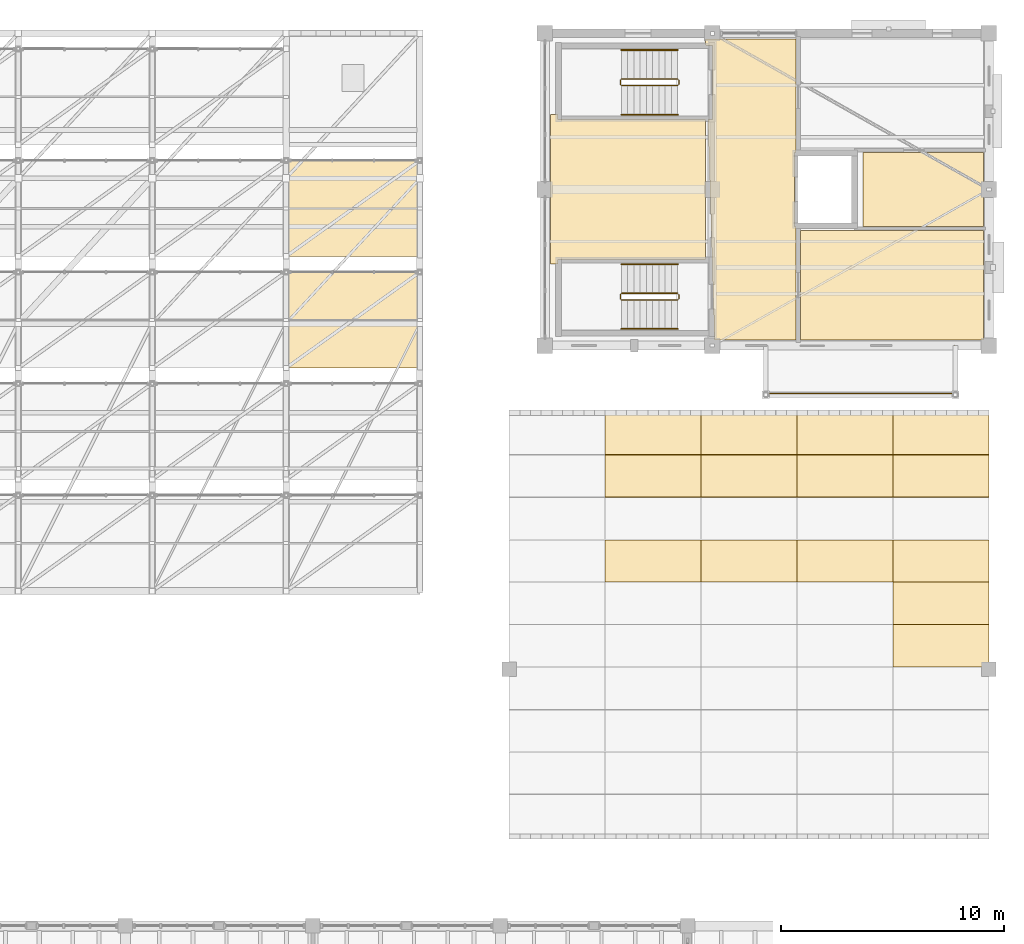
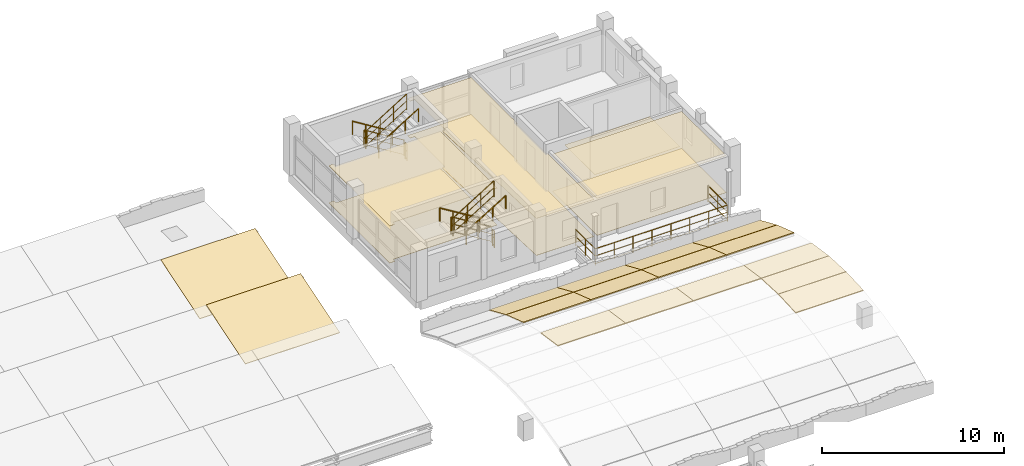
# One storey, part 47 of 48: 23 coverings, 13 railings.
"""IFC4 building model written with IfcOpenShell, lengths in metres."""

import ifcopenshell
import ifcopenshell.guid

model = None  # the IFC model being written
_history = None  # IfcOwnerHistory: only IFC2X3 demands one
_inside = {}  # id of a spatial element -> (the spatial element, [elements in it])
_under = {}  # id of a project, library or spatial element -> (it, [spatial elements below it])
_declared = {}  # id of a project -> (the project, [libraries it declares])
_typed = {}  # id of a type object -> (the type object, [elements of that type])
_made_of = {}  # id of a material, layer set ... -> (it, [elements and type objects made of it])


def new_model(schema):
    """Start an empty IFC model of exactly this schema.

    Asked for "IFC4X3", IfcOpenShell would pick the latest addendum, in which some entities
    have other attributes; the version numbers below select the first issue.
    IFC2X3 requires an IfcOwnerHistory on every rooted entity: one is made here for all.
    """
    global model, _history
    if schema == "IFC4X3":
        model = ifcopenshell.file(schema_version=(4, 3, 0, 0))
    else:
        model = ifcopenshell.file(schema=schema)
    _inside.clear()
    _under.clear()
    _declared.clear()
    _typed.clear()
    _made_of.clear()
    _history = None
    if model.schema == "IFC2X3":
        org = make("IfcOrganization", Name="unknown")
        user = make(
            "IfcPersonAndOrganization",
            ThePerson=make("IfcPerson", FamilyName="unknown"),
            TheOrganization=org,
        )
        app = make(
            "IfcApplication",
            ApplicationDeveloper=org,
            Version="unknown",
            ApplicationFullName="unknown",
            ApplicationIdentifier="unknown",
        )
        _history = make(
            "IfcOwnerHistory",
            OwningUser=user,
            OwningApplication=app,
            ChangeAction="ADDED",
            CreationDate=0,
        )
    return model


def make(cls, **values):
    """One entity of the class cls with the attributes given. An attribute that is None is left unset."""
    return model.create_entity(
        cls, **{name: value for name, value in values.items() if value is not None}
    )


def rooted(cls, **values):
    """An entity with a GlobalId (a new one), such as an element, a storey or a relation."""
    return make(cls, GlobalId=ifcopenshell.guid.new(), OwnerHistory=_history, **values)


def si_unit(unit_type, name, prefix=None):
    """IfcSIUnit, for example si_unit("LENGTHUNIT", "METRE", prefix="MILLI")."""
    return make("IfcSIUnit", UnitType=unit_type, Prefix=prefix, Name=name)


def assignment(units):
    """IfcUnitAssignment: the units of a project."""
    return None if units is None else make("IfcUnitAssignment", Units=units)


def point(xyz):
    """IfcCartesianPoint."""
    return None if xyz is None else make("IfcCartesianPoint", Coordinates=xyz)


def direction(xyz):
    """IfcDirection."""
    return None if xyz is None else make("IfcDirection", DirectionRatios=xyz)


def frame(location, z_axis=None, x_axis=None):
    """IfcAxis2Placement3D, a coordinate frame: its origin and axes. An axis left out is left unset."""
    return make(
        "IfcAxis2Placement3D",
        Location=point(location),
        Axis=direction(z_axis),
        RefDirection=direction(x_axis),
    )


def frame_2d(location, x_axis=None):
    """IfcAxis2Placement2D, a coordinate frame in the plane: its origin and x axis."""
    return make(
        "IfcAxis2Placement2D", Location=point(location), RefDirection=direction(x_axis)
    )


def origin():
    """The frame at (0, 0, 0) with its axes left unset."""
    return frame((0.0, 0.0, 0.0))


def origin_2d():
    """The frame at (0, 0) in the plane with its x axis left unset."""
    return frame_2d((0.0, 0.0))


def place(relative_to, where):
    """IfcLocalPlacement: puts the frame where relative to a parent placement (None: the world)."""
    return make(
        "IfcLocalPlacement", PlacementRelTo=relative_to, RelativePlacement=where
    )


def context(
    kind, dimensions, precision=None, world=None, true_north=None, identifier=None
):
    """IfcGeometricRepresentationContext, for example the 3D "Model" context."""
    return make(
        "IfcGeometricRepresentationContext",
        ContextIdentifier=identifier,
        ContextType=kind,
        CoordinateSpaceDimension=dimensions,
        Precision=precision,
        WorldCoordinateSystem=world,
        TrueNorth=true_north,
    )


def subcontext(parent, identifier, kind, view, scale=None):
    """IfcGeometricRepresentationSubContext, for example "Body" below "Model"."""
    return make(
        "IfcGeometricRepresentationSubContext",
        ContextIdentifier=identifier,
        ContextType=kind,
        ParentContext=parent,
        TargetScale=scale,
        TargetView=view,
    )


def project(units=None, contexts=None):
    """IfcProject with its units and contexts."""
    return rooted(
        "IfcProject",
        Name="project",
        RepresentationContexts=contexts,
        UnitsInContext=assignment(units),
    )


def spatial(cls, under=None, at=None, **own):
    """A site, building, storey or space (cls), placed at a placement, below another one or the project."""
    s = rooted(cls, ObjectPlacement=at, **own)
    if under is not None:
        _under.setdefault(under.id(), (under, []))[1].append(s)
    return s


def polyline(points):
    """IfcPolyline through the points."""
    return make("IfcPolyline", Points=[point(p) for p in points])


def profile(cls, at=None, kind="AREA", **sizes):
    """A parametric profile (cls). Its sizes go by their IFC names, for example OverallWidth=200.0."""
    return make(cls, ProfileType=kind, Position=at, **sizes)


def circle(**sizes):
    """IfcCircleProfileDef."""
    return profile("IfcCircleProfileDef", **sizes)


def outline(outer, holes=None, kind="AREA"):
    """IfcArbitraryClosedProfileDef: a profile drawn as a closed curve; with holes, ...WithVoids."""
    if holes is None:
        return make("IfcArbitraryClosedProfileDef", ProfileType=kind, OuterCurve=outer)
    return make(
        "IfcArbitraryProfileDefWithVoids",
        ProfileType=kind,
        OuterCurve=outer,
        InnerCurves=holes,
    )


def extrude(swept, where, along, depth):
    """IfcExtrudedAreaSolid: the profile swept, set in the frame where, extruded along a direction by depth."""
    return make(
        "IfcExtrudedAreaSolid",
        SweptArea=swept,
        Position=where,
        ExtrudedDirection=direction(along),
        Depth=depth,
    )


def shape(context_of_items, identifier, shape_type, items):
    """IfcShapeRepresentation: the items that make up one representation, for example the "Body"."""
    return make(
        "IfcShapeRepresentation",
        ContextOfItems=context_of_items,
        RepresentationIdentifier=identifier,
        RepresentationType=shape_type,
        Items=items,
    )


def material(Name=None, Category=None):
    """IfcMaterial."""
    return make("IfcMaterial", Name=Name, Category=Category)


def layer(
    of_material, thickness, ventilated=None, Name=None, Category=None, Priority=None
):
    """IfcMaterialLayer: one layer of a wall or slab, of a material (None: an air gap)."""
    return make(
        "IfcMaterialLayer",
        Material=of_material,
        LayerThickness=thickness,
        IsVentilated=ventilated,
        Name=Name,
        Category=Category,
        Priority=Priority,
    )


def layer_set(layers, Name=None):
    """IfcMaterialLayerSet."""
    return make("IfcMaterialLayerSet", MaterialLayers=layers, LayerSetName=Name)


def made_of(thing, what):
    """Note that an element or type object is made of a material, layer set ...; save() writes the relation."""
    if what is not None:
        _made_of.setdefault(what.id(), (what, []))[1].append(thing)
    return thing


def type_object(cls, material=None, **own):
    """A type object (cls), such as IfcWallType, which elements share."""
    return made_of(rooted(cls, **own), material)


def element(
    cls,
    number,
    at=None,
    inside=None,
    cuts=None,
    type_object=None,
    material=None,
    context=None,
    identifier="Body",
    shape_type=None,
    held_by="IfcProductDefinitionShape",
    body=None,
    shapes=None,
    **own,
):
    """One element of the class cls, such as IfcWall. Its Tag is "e" and its number.

    at: its placement. inside: the storey or other place that contains it. cuts: it is an
    opening in that element (IfcRelVoidsElement). A single representation is given by context,
    identifier, shape_type and body (its items); several are given by shapes. held_by: the class
    of the entity that holds the representations. save() writes the other relations.
    """
    e = rooted(cls, Tag="e%d" % number, ObjectPlacement=at, **own)
    if body is not None:
        shapes = [shape(context, identifier, shape_type, body)]
    if shapes is not None:
        e.Representation = make(held_by, Representations=shapes)
    if inside is not None:
        _inside.setdefault(inside.id(), (inside, []))[1].append(e)
    if cuts is not None:
        rooted(
            "IfcRelVoidsElement", RelatingBuildingElement=cuts, RelatedOpeningElement=e
        )
    if type_object is not None:
        _typed.setdefault(type_object.id(), (type_object, []))[1].append(e)
    return made_of(e, material)


def aggregate(whole, parts):
    """IfcRelAggregates: a whole, such as a stair, and the parts it consists of."""
    return rooted("IfcRelAggregates", RelatingObject=whole, RelatedObjects=parts)


def save(model, path):
    """Write the relations noted so far, then the file.

    IfcRelAggregates (storeys below a building ...), IfcRelContainedInSpatialStructure (elements
    in a storey), IfcRelDefinesByType, IfcRelAssociatesMaterial and IfcRelDeclares: one each for
    every whole, place, type object, material and project.
    """
    for whole, parts in _under.values():
        aggregate(whole, parts)
    for where, things in _inside.values():
        rooted(
            "IfcRelContainedInSpatialStructure",
            RelatedElements=things,
            RelatingStructure=where,
        )
    for kind, things in _typed.values():
        rooted("IfcRelDefinesByType", RelatedObjects=things, RelatingType=kind)
    for what, things in _made_of.values():
        rooted("IfcRelAssociatesMaterial", RelatedObjects=things, RelatingMaterial=what)
    for by, libraries in _declared.values():
        rooted("IfcRelDeclares", RelatingContext=by, RelatedDefinitions=libraries)
    model.write(path)


model = new_model("IFC4")

# Units and contexts
model_context = context("Model", 3, precision=1e-05, world=origin(), true_north=direction((0.0, 1.0)))
body_context = subcontext(model_context, "Body", "Model", "MODEL_VIEW")
ifc_project = project(units=[si_unit("LENGTHUNIT", "METRE"), si_unit("AREAUNIT", "SQUARE_METRE"), si_unit("VOLUMEUNIT", "CUBIC_METRE"), si_unit("PLANEANGLEUNIT", "RADIAN"), si_unit("MASSUNIT", "GRAM", prefix="KILO")], contexts=[model_context])

# Site, building, storey
site_placement = place(None, origin())
site = spatial("IfcSite", under=ifc_project, at=site_placement, CompositionType="ELEMENT")
building_placement = place(site_placement, origin())
building = spatial("IfcBuilding", under=site, at=building_placement, Name="Trellovar Central Fire Station", CompositionType="ELEMENT")
storey_placement = place(building_placement, frame((0.0, 0.0, 9.300048828125)))
storey = spatial("IfcBuildingStorey", under=building, at=storey_placement, Name="L03", CompositionType="ELEMENT", Elevation=9.300048828125)

# Coverings
ifc_material_1 = material(Name="Perforated acoustic mineral fiber ceiling tile", Category="mineral")
ifc_layer_1 = layer(ifc_material_1, 0.02490234375)
ifc_layer_set_1 = layer_set([ifc_layer_1], Name="Perforated acoustic mineral fiber ceiling tile")
covering_type_1 = type_object("IfcCoveringType", Name="COV-CLG1", PredefinedType="CEILING", material=ifc_layer_set_1)
covering_1_placement = place(storey_placement, frame((0.0, 0.0, 2.47998046875)))
element("IfcCovering", 1, at=covering_1_placement, inside=storey, type_object=covering_type_1, Name="Drill Tower Level Three Lobby suspended ceiling", PredefinedType="CEILING", context=body_context, shape_type="SweptSolid", body=[
    extrude(outline(polyline([(148.610107421875, 72.4599609375), (148.30908203125, 72.4599609375), (148.300048828125, 72.75), (152.35009765625, 72.75), (152.35009765625, 67.659912109375), (152.2900390625, 67.659912109375), (152.2900390625, 64.340087890625), (152.35009765625, 64.340087890625), (152.35009765625, 59.25), (148.699951171875, 59.25), (148.610107421875, 62.287109375), (148.610107421875, 62.860107421875), (148.593017578125, 62.860107421875), (148.406982421875, 69.139892578125), (148.610107421875, 69.139892578125), (148.610107421875, 72.4599609375)])), origin(), (0.0, 0.0, 1.0), 0.02490234375),
])
covering_2_placement = place(storey_placement, frame((0.0, 0.0, 2.47998046875)))
element("IfcCovering", 2, at=covering_2_placement, inside=storey, type_object=covering_type_1, Name="Forcible Entry Training Lab suspended ceiling", PredefinedType="CEILING", context=body_context, shape_type="SweptSolid", body=[
    extrude(outline(polyline([(141.68994140625, 62.860107421875), (141.68994140625, 62.64990234375), (141.35009765625, 62.64990234375), (141.35009765625, 69.35009765625), (141.68994140625, 69.35009765625), (141.68994140625, 69.139892578125), (148.300048828125, 69.139892578125), (148.300048828125, 62.860107421875), (141.68994140625, 62.860107421875)])), origin(), (0.0, 0.0, 1.0), 0.02490234375),
])
covering_3_placement = place(storey_placement, frame((0.0, 0.0, 2.47998046875)))
element("IfcCovering", 3, at=covering_3_placement, inside=storey, type_object=covering_type_1, Name="Window Bailout and Rappel Deck L03 suspended ceiling", PredefinedType="CEILING", context=body_context, shape_type="SweptSolid", body=[
    extrude(outline(polyline([(160.75, 64.14990234375), (160.75, 59.25), (152.550048828125, 59.25), (152.550048828125, 64.14990234375), (160.75, 64.14990234375)])), origin(), (0.0, 0.0, 1.0), 0.02490234375),
])
ifc_material_2 = material(Name="Vitrified Catalan ceramic floor tile", Category="masonry")
ifc_layer_2 = layer(ifc_material_2, 0.01806640625)
ifc_layer_set_2 = layer_set([ifc_layer_2], Name="Vitrified Catalan ceramic floor tile")
covering_type_2 = type_object("IfcCoveringType", Name="COV-FLR2", PredefinedType="FLOORING", material=ifc_layer_set_2)
covering_4_placement = place(storey_placement, origin())
element("IfcCovering", 4, at=covering_4_placement, inside=storey, type_object=covering_type_2, Name="Drill Tower Level Three Lobby floor finish", PredefinedType="FLOORING", context=body_context, shape_type="SweptSolid", body=[
    extrude(outline(polyline([(148.610107421875, 72.4599609375), (148.30908203125, 72.4599609375), (148.300048828125, 72.75), (152.35009765625, 72.75), (152.35009765625, 67.659912109375), (152.2900390625, 67.659912109375), (152.2900390625, 64.340087890625), (152.35009765625, 64.340087890625), (152.35009765625, 59.25), (148.699951171875, 59.25), (148.610107421875, 62.287109375), (148.610107421875, 62.860107421875), (148.593017578125, 62.860107421875), (148.406982421875, 69.139892578125), (148.610107421875, 69.139892578125), (148.610107421875, 72.4599609375)])), origin(), (0.0, 0.0, 1.0), 0.01806640625),
])
covering_5_placement = place(storey_placement, origin())
element("IfcCovering", 5, at=covering_5_placement, inside=storey, type_object=covering_type_2, Name="Tower Level Three Restroom floor finish", PredefinedType="FLOORING", context=body_context, shape_type="SweptSolid", body=[
    extrude(outline(polyline([(160.75, 67.64990234375), (160.75, 64.35009765625), (155.35009765625, 64.35009765625), (155.35009765625, 67.64990234375), (160.75, 67.64990234375)])), origin(), (0.0, 0.0, 1.0), 0.01806640625),
])
ifc_material_3 = material(Name="Resilient athletic impact rubber flooring", Category="finish")
ifc_layer_3 = layer(ifc_material_3, 0.02001953125)
ifc_layer_set_3 = layer_set([ifc_layer_3], Name="Resilient athletic impact rubber flooring")
covering_type_3 = type_object("IfcCoveringType", Name="COV-FLR3", PredefinedType="FLOORING", material=ifc_layer_set_3)
covering_6_placement = place(storey_placement, origin())
element("IfcCovering", 6, at=covering_6_placement, inside=storey, type_object=covering_type_3, Name="Forcible Entry Training Lab floor finish", PredefinedType="FLOORING", context=body_context, shape_type="SweptSolid", body=[
    extrude(outline(polyline([(141.68994140625, 62.860107421875), (141.68994140625, 62.64990234375), (141.35009765625, 62.64990234375), (141.35009765625, 69.35009765625), (141.68994140625, 69.35009765625), (141.68994140625, 69.139892578125), (148.300048828125, 69.139892578125), (148.300048828125, 62.860107421875), (141.68994140625, 62.860107421875)])), origin(), (0.0, 0.0, 1.0), 0.02001953125),
])
covering_7_placement = place(storey_placement, origin())
element("IfcCovering", 7, at=covering_7_placement, inside=storey, type_object=covering_type_3, Name="Window Bailout and Rappel Deck L03 floor finish", PredefinedType="FLOORING", context=body_context, shape_type="SweptSolid", body=[
    extrude(outline(polyline([(160.75, 64.14990234375), (160.75, 59.25), (152.550048828125, 59.25), (152.550048828125, 64.14990234375), (160.75, 64.14990234375)])), origin(), (0.0, 0.0, 1.0), 0.02001953125),
])
ifc_material_4 = material(Name="Glazed ceramic trencadis roofing", Category="masonry")
ifc_layer_4 = layer(ifc_material_4, 0.06005859375)
ifc_layer_set_4 = layer_set([ifc_layer_4], Name="Glazed ceramic trencadis roofing")
covering_type_4 = type_object("IfcCoveringType", Name="COV-RF1", PredefinedType="ROOFING", material=ifc_layer_set_4)
covering_8_placement = place(storey_placement, frame((143.800048828125, 48.41064453125, 2.266357421875), z_axis=(0.0, 0.143750672762, 0.989613936887), x_axis=(1.0, 0.0, 0.0)))
element("IfcCovering", 8, at=covering_8_placement, inside=storey, type_object=covering_type_4, Name="V3 trencadis barrel vault covering 02-07", PredefinedType="ROOFING", context=body_context, shape_type="SweptSolid", body=[
    extrude(outline(polyline([(0.0, 0.0), (4.300048828125, 0.0), (4.300048828125, 1.907260095601346), (0.0, 1.907260095601346), (0.0, 0.0)])), origin(), (0.0, 0.0, -1.0), 0.06005859375),
])
covering_9_placement = place(storey_placement, frame((143.800048828125, 52.22119140625, 1.524658203125), z_axis=(0.0, 0.320954993528, 0.947094447312), x_axis=(1.0, 0.0, 0.0)))
element("IfcCovering", 9, at=covering_9_placement, inside=storey, type_object=covering_type_4, Name="V3 trencadis barrel vault covering 02-09", PredefinedType="ROOFING", context=body_context, shape_type="SweptSolid", body=[
    extrude(outline(polyline([(0.0, 0.0), (4.300048828125, 0.0), (4.300048828125, 1.9815436461495783), (0.0, 1.9815436461495783), (0.0, 0.0)])), origin(), (0.0, 0.0, -1.0), 0.06005859375),
])
covering_10_placement = place(storey_placement, frame((143.800048828125, 54.1259765625, 0.876708984375), z_axis=(0.0, 0.399539052754, 0.916716174901), x_axis=(1.0, 0.0, 0.0)))
element("IfcCovering", 10, at=covering_10_placement, inside=storey, type_object=covering_type_4, Name="V3 trencadis barrel vault covering 02-10", PredefinedType="ROOFING", context=body_context, shape_type="SweptSolid", body=[
    extrude(outline(polyline([(0.0, 0.0), (4.300048828125, 0.0), (4.300048828125, 2.0421482283793635), (0.0, 2.0421482283793635), (0.0, 0.0)])), origin(), (0.0, 0.0, -1.0), 0.06005859375),
])
covering_11_placement = place(storey_placement, frame((148.10009765625, 48.41064453125, 2.266357421875), z_axis=(0.0, 0.143750672762, 0.989613936887), x_axis=(1.0, 0.0, 0.0)))
element("IfcCovering", 11, at=covering_11_placement, inside=storey, type_object=covering_type_4, Name="V3 trencadis barrel vault covering 03-07", PredefinedType="ROOFING", context=body_context, shape_type="SweptSolid", body=[
    extrude(outline(polyline([(0.0, 0.0), (4.2998046875, 0.0), (4.2998046875, 1.907260095601346), (0.0, 1.907260095601346), (0.0, 0.0)])), origin(), (0.0, 0.0, -1.0), 0.06005859375),
])
covering_12_placement = place(storey_placement, frame((148.10009765625, 52.22119140625, 1.524658203125), z_axis=(0.0, 0.320954993528, 0.947094447312), x_axis=(1.0, 0.0, 0.0)))
element("IfcCovering", 12, at=covering_12_placement, inside=storey, type_object=covering_type_4, Name="V3 trencadis barrel vault covering 03-09", PredefinedType="ROOFING", context=body_context, shape_type="SweptSolid", body=[
    extrude(outline(polyline([(0.0, 0.0), (4.2998046875, 0.0), (4.2998046875, 1.981543646149578), (0.0, 1.981543646149578), (0.0, 0.0)])), origin(), (0.0, 0.0, -1.0), 0.06005859375),
])
covering_13_placement = place(storey_placement, frame((148.10009765625, 54.1259765625, 0.876708984375), z_axis=(0.0, 0.399539052754, 0.916716174901), x_axis=(1.0, 0.0, 0.0)))
element("IfcCovering", 13, at=covering_13_placement, inside=storey, type_object=covering_type_4, Name="V3 trencadis barrel vault covering 03-10", PredefinedType="ROOFING", context=body_context, shape_type="SweptSolid", body=[
    extrude(outline(polyline([(0.0, 0.0), (4.2998046875, 0.0), (4.2998046875, 2.0421482283793635), (0.0, 2.0421482283793635), (0.0, 0.0)])), origin(), (0.0, 0.0, -1.0), 0.06005859375),
])
covering_14_placement = place(storey_placement, frame((152.39990234375, 48.41064453125, 2.266357421875), z_axis=(0.0, 0.143750672762, 0.989613936887), x_axis=(1.0, 0.0, 0.0)))
element("IfcCovering", 14, at=covering_14_placement, inside=storey, type_object=covering_type_4, Name="V3 trencadis barrel vault covering 04-07", PredefinedType="ROOFING", context=body_context, shape_type="SweptSolid", body=[
    extrude(outline(polyline([(0.0, 0.0), (4.300048828125, 0.0), (4.300048828125, 1.907260095601346), (0.0, 1.907260095601346), (0.0, 0.0)])), origin(), (0.0, 0.0, -1.0), 0.06005859375),
])
covering_15_placement = place(storey_placement, frame((152.39990234375, 52.22119140625, 1.524658203125), z_axis=(0.0, 0.320954993528, 0.947094447312), x_axis=(1.0, 0.0, 0.0)))
element("IfcCovering", 15, at=covering_15_placement, inside=storey, type_object=covering_type_4, Name="V3 trencadis barrel vault covering 04-09", PredefinedType="ROOFING", context=body_context, shape_type="SweptSolid", body=[
    extrude(outline(polyline([(0.0, 0.0), (4.300048828125, 0.0), (4.300048828125, 1.9815436461495783), (0.0, 1.9815436461495783), (0.0, 0.0)])), origin(), (0.0, 0.0, -1.0), 0.06005859375),
])
covering_16_placement = place(storey_placement, frame((152.39990234375, 54.1259765625, 0.876708984375), z_axis=(0.0, 0.399539052754, 0.916716174901), x_axis=(1.0, 0.0, 0.0)))
element("IfcCovering", 16, at=covering_16_placement, inside=storey, type_object=covering_type_4, Name="V3 trencadis barrel vault covering 04-10", PredefinedType="ROOFING", context=body_context, shape_type="SweptSolid", body=[
    extrude(outline(polyline([(0.0, 0.0), (4.300048828125, 0.0), (4.300048828125, 2.0421482283793635), (0.0, 2.0421482283793635), (0.0, 0.0)])), origin(), (0.0, 0.0, -1.0), 0.06005859375),
])
for number, where, z_axis, x_axis, name in (
    (17, (156.699951171875, 44.60205078125, 2.26806640625), (0.0, -0.04843419104, 0.998826375872), (1.0, 0.0, 0.0), "V3 trencadis barrel vault covering 05-05"),
    (18, (156.699951171875, 46.5048828125, 2.35986328125), (0.0, 0.04843419104, 0.998826375872), (1.0, 0.0, 0.0), "V3 trencadis barrel vault covering 05-06"),
):
    element("IfcCovering", number, at=place(storey_placement, frame(where, z_axis=z_axis, x_axis=x_axis)), inside=storey, type_object=covering_type_4, Name=name, PredefinedType="ROOFING", context=body_context, shape_type="SweptSolid", body=[
        extrude(outline(polyline([(0.0, 0.0), (4.300048828125, 0.0), (4.300048828125, 1.8952907652210136), (0.0, 1.8952907652210136), (0.0, 0.0)])), origin(), (0.0, 0.0, -1.0), 0.06005859375),
    ])
covering_17_placement = place(storey_placement, frame((156.699951171875, 48.41064453125, 2.266357421875), z_axis=(0.0, 0.143750672762, 0.989613936887), x_axis=(1.0, 0.0, 0.0)))
element("IfcCovering", 19, at=covering_17_placement, inside=storey, type_object=covering_type_4, Name="V3 trencadis barrel vault covering 05-07", PredefinedType="ROOFING", context=body_context, shape_type="SweptSolid", body=[
    extrude(outline(polyline([(0.0, 0.0), (4.300048828125, 0.0), (4.300048828125, 1.907260095601346), (0.0, 1.907260095601346), (0.0, 0.0)])), origin(), (0.0, 0.0, -1.0), 0.06005859375),
])
covering_18_placement = place(storey_placement, frame((156.699951171875, 52.22119140625, 1.524658203125), z_axis=(0.0, 0.320954993528, 0.947094447312), x_axis=(1.0, 0.0, 0.0)))
element("IfcCovering", 20, at=covering_18_placement, inside=storey, type_object=covering_type_4, Name="V3 trencadis barrel vault covering 05-09", PredefinedType="ROOFING", context=body_context, shape_type="SweptSolid", body=[
    extrude(outline(polyline([(0.0, 0.0), (4.300048828125, 0.0), (4.300048828125, 1.9815436461495783), (0.0, 1.9815436461495783), (0.0, 0.0)])), origin(), (0.0, 0.0, -1.0), 0.06005859375),
])
covering_19_placement = place(storey_placement, frame((156.699951171875, 54.1259765625, 0.876708984375), z_axis=(0.0, 0.399539052754, 0.916716174901), x_axis=(1.0, 0.0, 0.0)))
element("IfcCovering", 21, at=covering_19_placement, inside=storey, type_object=covering_type_4, Name="V3 trencadis barrel vault covering 05-10", PredefinedType="ROOFING", context=body_context, shape_type="SweptSolid", body=[
    extrude(outline(polyline([(0.0, 0.0), (4.300048828125, 0.0), (4.300048828125, 2.0421482283793635), (0.0, 2.0421482283793635), (0.0, 0.0)])), origin(), (0.0, 0.0, -1.0), 0.06005859375),
])
ifc_material_5 = material(Name="High-albedo cool terracotta roof tile", Category="masonry")
ifc_layer_5 = layer(ifc_material_5, 0.050048828125)
ifc_layer_set_5 = layer_set([ifc_layer_5], Name="High-albedo cool terracotta roof tile")
covering_type_5 = type_object("IfcCoveringType", Name="COV-RF2", PredefinedType="ROOFING", material=ifc_layer_set_5)
for number, where, z_axis, x_axis, name in (
    (22, (129.5, 58.0, 0.22998046875), (0.0, -0.29950542383, 0.954094597562), (1.0, 0.0, 0.0), "V6 sawtooth cool terracotta covering 3-129"),
    (23, (129.5, 63.0, 0.22998046875), (0.0, -0.29950542383, 0.954094597562), (1.0, 0.0, 0.0), "V6 sawtooth cool terracotta covering 4-129"),
):
    element("IfcCovering", number, at=place(storey_placement, frame(where, z_axis=z_axis, x_axis=x_axis)), inside=storey, type_object=covering_type_5, Name=name, PredefinedType="ROOFING", context=body_context, shape_type="SweptSolid", body=[
        extrude(outline(polyline([(0.0, 0.0), (6.0, 0.0), (6.0, 4.506941805471239), (0.0, 4.506941805471239), (0.0, 0.0)])), origin(), (0.0, 0.0, -1.0), 0.050048828125),
    ])

# Railings
ifc_material_6 = material(Name="Patina bronze wrought metalwork", Category="metal")
ifc_layer_6 = layer(ifc_material_6, 0.06005859375)
ifc_layer_set_6 = layer_set([ifc_layer_6], Name="Patina bronze wrought metalwork")
railing_type_1 = type_object("IfcRailingType", Name="RL-GUARD1", PredefinedType="GUARDRAIL", material=ifc_layer_set_6)
railing_1_placement = place(storey_placement, frame((151.050048828125, 59.0, 0.0)))
element("IfcRailing", 24, at=railing_1_placement, inside=storey, type_object=railing_type_1, Name="V2 L03 rappel evolution balcony guardrail", PredefinedType="GUARDRAIL", context=body_context, shape_type="SweptSolid", body=[
    extrude(circle(Radius=0.02392578125, at=origin_2d()), frame((0.0, 0.0, 1.09619140625), z_axis=(0.0, -1.0, 0.0), x_axis=(1.0, 0.0, 0.0)), (0.0, 0.0, 1.0), 2.14990234375),
    extrude(circle(Radius=0.015625, at=origin_2d()), frame((0.0, 0.0, 0.10009765625), z_axis=(0.0, -1.0, 0.0), x_axis=(1.0, 0.0, 0.0)), (0.0, 0.0, 1.0), 2.14990234375),
    extrude(circle(Radius=0.015625, at=origin_2d()), frame((0.0, 0.0, 0.615966796875), z_axis=(0.0, -1.0, 0.0), x_axis=(1.0, 0.0, 0.0)), (0.0, 0.0, 1.0), 2.14990234375),
    extrude(circle(Radius=0.02392578125, at=origin_2d()), frame((0.0, -2.14990234375, 1.09619140625), z_axis=(1.0, 0.0, 0.0), x_axis=(0.0, 1.0, 0.0)), (0.0, 0.0, 1.0), 8.39990234375),
    extrude(circle(Radius=0.015625, at=origin_2d()), frame((0.0, -2.14990234375, 0.10009765625), z_axis=(1.0, 0.0, 0.0), x_axis=(0.0, 1.0, 0.0)), (0.0, 0.0, 1.0), 8.39990234375),
    extrude(circle(Radius=0.015625, at=origin_2d()), frame((0.0, -2.14990234375, 0.615966796875), z_axis=(1.0, 0.0, 0.0), x_axis=(0.0, 1.0, 0.0)), (0.0, 0.0, 1.0), 8.39990234375),
    extrude(circle(Radius=0.02392578125, at=origin_2d()), frame((8.39990234375, -2.14990234375, 1.09619140625), z_axis=(0.0, 1.0, 0.0), x_axis=(-1.0, 0.0, 0.0)), (0.0, 0.0, 1.0), 2.14990234375),
    extrude(circle(Radius=0.015625, at=origin_2d()), frame((8.39990234375, -2.14990234375, 0.10009765625), z_axis=(0.0, 1.0, 0.0), x_axis=(-1.0, 0.0, 0.0)), (0.0, 0.0, 1.0), 2.14990234375),
    extrude(circle(Radius=0.015625, at=origin_2d()), frame((8.39990234375, -2.14990234375, 0.615966796875), z_axis=(0.0, 1.0, 0.0), x_axis=(-1.0, 0.0, 0.0)), (0.0, 0.0, 1.0), 2.14990234375),
    extrude(circle(Radius=0.02099609375, at=origin_2d()), origin(), (0.0, 0.0, 1.0), 1.072021484375),
    extrude(circle(Radius=0.02099609375, at=origin_2d()), frame((0.0, -1.074951171875, 0.0)), (0.0, 0.0, 1.0), 1.072021484375),
    extrude(circle(Radius=0.02099609375, at=origin_2d()), frame((0.0, -2.14990234375, 0.0)), (0.0, 0.0, 1.0), 1.072021484375),
    extrude(circle(Radius=0.02099609375, at=origin_2d()), frame((1.199951171875, -2.14990234375, 0.0)), (0.0, 0.0, 1.0), 1.072021484375),
    extrude(circle(Radius=0.02099609375, at=origin_2d()), frame((2.39990234375, -2.14990234375, 0.0)), (0.0, 0.0, 1.0), 1.072021484375),
    extrude(circle(Radius=0.02099609375, at=origin_2d()), frame((3.599853515625, -2.14990234375, 0.0)), (0.0, 0.0, 1.0), 1.072021484375),
    extrude(circle(Radius=0.02099609375, at=origin_2d()), frame((4.800048828125, -2.14990234375, 0.0)), (0.0, 0.0, 1.0), 1.072021484375),
    extrude(circle(Radius=0.02099609375, at=origin_2d()), frame((6.0, -2.14990234375, 0.0)), (0.0, 0.0, 1.0), 1.072021484375),
    extrude(circle(Radius=0.02099609375, at=origin_2d()), frame((7.199951171875, -2.14990234375, 0.0)), (0.0, 0.0, 1.0), 1.072021484375),
    extrude(circle(Radius=0.02099609375, at=origin_2d()), frame((8.39990234375, -2.14990234375, 0.0)), (0.0, 0.0, 1.0), 1.072021484375),
    extrude(circle(Radius=0.02099609375, at=origin_2d()), frame((8.39990234375, -1.074951171875, 0.0)), (0.0, 0.0, 1.0), 1.072021484375),
    extrude(circle(Radius=0.02099609375, at=origin_2d()), frame((8.39990234375, 0.0, 0.0)), (0.0, 0.0, 1.0), 1.072021484375),
])
ifc_material_7 = material(Name="Patina bronze wrought metalwork", Category="metal")
ifc_layer_7 = layer(ifc_material_7, 0.048095703125)
ifc_layer_set_7 = layer_set([ifc_layer_7], Name="Patina bronze wrought metalwork")
railing_type_2 = type_object("IfcRailingType", Name="RL-STAIR", PredefinedType="HANDRAIL", material=ifc_layer_set_7)
railing_2_placement = place(storey_placement, frame((147.050048828125, 62.64990234375, 0.17236328125)))
element("IfcRailing", 25, at=railing_2_placement, inside=storey, type_object=railing_type_2, Name="L03 ST-05 stair handrail 1", PredefinedType="HANDRAIL", context=body_context, shape_type="SweptSolid", body=[
    extrude(circle(Radius=0.02392578125, at=origin_2d()), frame((0.0, 0.0, 0.8759765625), z_axis=(-0.851400495292, 0.0, 0.524516154772), x_axis=(0.0, -1.0, 0.0)), (0.0, 0.0, 1.0), 2.9599609375),
    extrude(circle(Radius=0.02099609375, at=origin_2d()), origin(), (0.0, 0.0, 1.0), 0.851806640625),
    extrude(circle(Radius=0.02099609375, at=origin_2d()), frame((-0.840087890625, 0.0, 0.517578125)), (0.0, 0.0, 1.0), 0.851806640625),
    extrude(circle(Radius=0.02099609375, at=origin_2d()), frame((-1.679931640625, 0.0, 1.034912109375)), (0.0, 0.0, 1.0), 0.851806640625),
    extrude(circle(Radius=0.02099609375, at=origin_2d()), frame((-2.52001953125, 0.0, 1.552490234375)), (0.0, 0.0, 1.0), 0.851806640625),
])
railing_3_placement = place(storey_placement, frame((144.530029296875, 59.75, 1.8974609375)))
element("IfcRailing", 26, at=railing_3_placement, inside=storey, type_object=railing_type_2, Name="L03 ST-05 stair handrail 2", PredefinedType="HANDRAIL", context=body_context, shape_type="SweptSolid", body=[
    extrude(circle(Radius=0.02392578125, at=origin_2d()), frame((0.0, 0.0, 0.8759765625), z_axis=(0.851400495292, 0.0, 0.524516154772), x_axis=(0.0, 1.0, 0.0)), (0.0, 0.0, 1.0), 2.9599609375),
    extrude(circle(Radius=0.02099609375, at=origin_2d()), origin(), (0.0, 0.0, 1.0), 0.851806640625),
    extrude(circle(Radius=0.02099609375, at=origin_2d()), frame((0.840087890625, 0.0, 0.517578125)), (0.0, 0.0, 1.0), 0.851806640625),
    extrude(circle(Radius=0.02099609375, at=origin_2d()), frame((1.679931640625, 0.0, 1.034912109375)), (0.0, 0.0, 1.0), 0.851806640625),
    extrude(circle(Radius=0.02099609375, at=origin_2d()), frame((2.52001953125, 0.0, 1.552490234375)), (0.0, 0.0, 1.0), 0.851806640625),
])
railing_4_placement = place(storey_placement, frame((147.050048828125, 72.25, 0.17236328125)))
element("IfcRailing", 27, at=railing_4_placement, inside=storey, type_object=railing_type_2, Name="L03 ST-06 stair handrail 1", PredefinedType="HANDRAIL", context=body_context, shape_type="SweptSolid", body=[
    extrude(circle(Radius=0.02392578125, at=origin_2d()), frame((0.0, 0.0, 0.8759765625), z_axis=(-0.851400495292, 0.0, 0.524516154772), x_axis=(0.0, -1.0, 0.0)), (0.0, 0.0, 1.0), 2.9599609375),
    extrude(circle(Radius=0.02099609375, at=origin_2d()), origin(), (0.0, 0.0, 1.0), 0.851806640625),
    extrude(circle(Radius=0.02099609375, at=origin_2d()), frame((-0.840087890625, 0.0, 0.517578125)), (0.0, 0.0, 1.0), 0.851806640625),
    extrude(circle(Radius=0.02099609375, at=origin_2d()), frame((-1.679931640625, 0.0, 1.034912109375)), (0.0, 0.0, 1.0), 0.851806640625),
    extrude(circle(Radius=0.02099609375, at=origin_2d()), frame((-2.52001953125, 0.0, 1.552490234375)), (0.0, 0.0, 1.0), 0.851806640625),
])
railing_5_placement = place(storey_placement, frame((144.530029296875, 69.35009765625, 1.8974609375)))
element("IfcRailing", 28, at=railing_5_placement, inside=storey, type_object=railing_type_2, Name="L03 ST-06 stair handrail 2", PredefinedType="HANDRAIL", context=body_context, shape_type="SweptSolid", body=[
    extrude(circle(Radius=0.02392578125, at=origin_2d()), frame((0.0, 0.0, 0.8759765625), z_axis=(0.851400495292, 0.0, 0.524516154772), x_axis=(0.0, 1.0, 0.0)), (0.0, 0.0, 1.0), 2.9599609375),
    extrude(circle(Radius=0.02099609375, at=origin_2d()), origin(), (0.0, 0.0, 1.0), 0.851806640625),
    extrude(circle(Radius=0.02099609375, at=origin_2d()), frame((0.840087890625, 0.0, 0.517578125)), (0.0, 0.0, 1.0), 0.851806640625),
    extrude(circle(Radius=0.02099609375, at=origin_2d()), frame((1.679931640625, 0.0, 1.034912109375)), (0.0, 0.0, 1.0), 0.851806640625),
    extrude(circle(Radius=0.02099609375, at=origin_2d()), frame((2.52001953125, 0.0, 1.552490234375)), (0.0, 0.0, 1.0), 0.851806640625),
])
ifc_material_8 = material(Name="Patina bronze wrought metalwork", Category="metal")
ifc_layer_8 = layer(ifc_material_8, 0.050048828125)
ifc_layer_set_8 = layer_set([ifc_layer_8], Name="Patina bronze wrought metalwork")
railing_type_3 = type_object("IfcRailingType", Name="RL-STGUARD", PredefinedType="GUARDRAIL", material=ifc_layer_set_8)
railing_6_placement = place(storey_placement, frame((147.050048828125, 61.35009765625, 0.17236328125)))
element("IfcRailing", 29, at=railing_6_placement, inside=storey, type_object=railing_type_3, Name="L03 ST-05 stair guard 1", PredefinedType="GUARDRAIL", context=body_context, shape_type="SweptSolid", body=[
    extrude(circle(Radius=0.02392578125, at=origin_2d()), frame((0.0, 0.0, 1.076171875), z_axis=(-0.851400495292, 0.0, 0.524516154772), x_axis=(0.0, -1.0, 0.0)), (0.0, 0.0, 1.0), 2.9599609375),
    extrude(circle(Radius=0.015625, at=origin_2d()), frame((0.0, 0.0, 0.10009765625), z_axis=(-0.851400495292, 0.0, 0.524516154772), x_axis=(0.0, -1.0, 0.0)), (0.0, 0.0, 1.0), 2.9599609375),
    extrude(circle(Radius=0.015625, at=origin_2d()), frame((0.0, 0.0, 0.60498046875), z_axis=(-0.851400495292, 0.0, 0.524516154772), x_axis=(0.0, -1.0, 0.0)), (0.0, 0.0, 1.0), 2.9599609375),
    extrude(circle(Radius=0.02099609375, at=origin_2d()), origin(), (0.0, 0.0, 1.0), 1.052001953125),
    extrude(circle(Radius=0.02099609375, at=origin_2d()), frame((-0.840087890625, 0.0, 0.517578125)), (0.0, 0.0, 1.0), 1.052001953125),
    extrude(circle(Radius=0.02099609375, at=origin_2d()), frame((-1.679931640625, 0.0, 1.034912109375)), (0.0, 0.0, 1.0), 1.052001953125),
    extrude(circle(Radius=0.02099609375, at=origin_2d()), frame((-2.52001953125, 0.0, 1.552490234375)), (0.0, 0.0, 1.0), 1.052001953125),
])
railing_7_placement = place(storey_placement, frame((144.47998046875, 61.300048828125, 1.724853515625)))
element("IfcRailing", 30, at=railing_7_placement, inside=storey, type_object=railing_type_3, Name="L03 ST-05 stair guard 2", PredefinedType="GUARDRAIL", context=body_context, shape_type="SweptSolid", body=[
    extrude(circle(Radius=0.02392578125, at=origin_2d()), frame((0.0, 0.0, 1.076171875), z_axis=(0.0, -1.0, 0.0), x_axis=(1.0, 0.0, 0.0)), (0.0, 0.0, 1.0), 0.199951171875),
    extrude(circle(Radius=0.015625, at=origin_2d()), frame((0.0, 0.0, 0.10009765625), z_axis=(0.0, -1.0, 0.0), x_axis=(1.0, 0.0, 0.0)), (0.0, 0.0, 1.0), 0.199951171875),
    extrude(circle(Radius=0.015625, at=origin_2d()), frame((0.0, 0.0, 0.60498046875), z_axis=(0.0, -1.0, 0.0), x_axis=(1.0, 0.0, 0.0)), (0.0, 0.0, 1.0), 0.199951171875),
    extrude(circle(Radius=0.02099609375, at=origin_2d()), origin(), (0.0, 0.0, 1.0), 1.052001953125),
    extrude(circle(Radius=0.02099609375, at=origin_2d()), frame((0.0, -0.199951171875, 0.0)), (0.0, 0.0, 1.0), 1.052001953125),
])
railing_8_placement = place(storey_placement, frame((144.530029296875, 61.050048828125, 1.8974609375)))
element("IfcRailing", 31, at=railing_8_placement, inside=storey, type_object=railing_type_3, Name="L03 ST-05 stair guard 3", PredefinedType="GUARDRAIL", context=body_context, shape_type="SweptSolid", body=[
    extrude(circle(Radius=0.02392578125, at=origin_2d()), frame((0.0, 0.0, 1.076171875), z_axis=(0.851400495292, 0.0, 0.524516154772), x_axis=(0.0, 1.0, 0.0)), (0.0, 0.0, 1.0), 2.9599609375),
    extrude(circle(Radius=0.015625, at=origin_2d()), frame((0.0, 0.0, 0.10009765625), z_axis=(0.851400495292, 0.0, 0.524516154772), x_axis=(0.0, 1.0, 0.0)), (0.0, 0.0, 1.0), 2.9599609375),
    extrude(circle(Radius=0.015625, at=origin_2d()), frame((0.0, 0.0, 0.60498046875), z_axis=(0.851400495292, 0.0, 0.524516154772), x_axis=(0.0, 1.0, 0.0)), (0.0, 0.0, 1.0), 2.9599609375),
    extrude(circle(Radius=0.02099609375, at=origin_2d()), origin(), (0.0, 0.0, 1.0), 1.052001953125),
    extrude(circle(Radius=0.02099609375, at=origin_2d()), frame((0.840087890625, 0.0, 0.517578125)), (0.0, 0.0, 1.0), 1.052001953125),
    extrude(circle(Radius=0.02099609375, at=origin_2d()), frame((1.679931640625, 0.0, 1.034912109375)), (0.0, 0.0, 1.0), 1.052001953125),
    extrude(circle(Radius=0.02099609375, at=origin_2d()), frame((2.52001953125, 0.0, 1.552490234375)), (0.0, 0.0, 1.0), 1.052001953125),
])
railing_9_placement = place(storey_placement, frame((147.10009765625, 61.300048828125, 0.0)))
element("IfcRailing", 32, at=railing_9_placement, inside=storey, type_object=railing_type_3, Name="L03 ST-05 stair guard 4", PredefinedType="GUARDRAIL", context=body_context, shape_type="SweptSolid", body=[
    extrude(circle(Radius=0.02392578125, at=origin_2d()), frame((0.0, 0.0, 1.076171875), z_axis=(0.0, -1.0, 0.0), x_axis=(1.0, 0.0, 0.0)), (0.0, 0.0, 1.0), 0.199951171875),
    extrude(circle(Radius=0.015625, at=origin_2d()), frame((0.0, 0.0, 0.10009765625), z_axis=(0.0, -1.0, 0.0), x_axis=(1.0, 0.0, 0.0)), (0.0, 0.0, 1.0), 0.199951171875),
    extrude(circle(Radius=0.015625, at=origin_2d()), frame((0.0, 0.0, 0.60498046875), z_axis=(0.0, -1.0, 0.0), x_axis=(1.0, 0.0, 0.0)), (0.0, 0.0, 1.0), 0.199951171875),
    extrude(circle(Radius=0.02099609375, at=origin_2d()), origin(), (0.0, 0.0, 1.0), 1.052001953125),
    extrude(circle(Radius=0.02099609375, at=origin_2d()), frame((0.0, -0.199951171875, 0.0)), (0.0, 0.0, 1.0), 1.052001953125),
])
railing_10_placement = place(storey_placement, frame((147.050048828125, 70.949951171875, 0.17236328125)))
element("IfcRailing", 33, at=railing_10_placement, inside=storey, type_object=railing_type_3, Name="L03 ST-06 stair guard 1", PredefinedType="GUARDRAIL", context=body_context, shape_type="SweptSolid", body=[
    extrude(circle(Radius=0.02392578125, at=origin_2d()), frame((0.0, 0.0, 1.076171875), z_axis=(-0.851400495292, 0.0, 0.524516154772), x_axis=(0.0, -1.0, 0.0)), (0.0, 0.0, 1.0), 2.9599609375),
    extrude(circle(Radius=0.015625, at=origin_2d()), frame((0.0, 0.0, 0.10009765625), z_axis=(-0.851400495292, 0.0, 0.524516154772), x_axis=(0.0, -1.0, 0.0)), (0.0, 0.0, 1.0), 2.9599609375),
    extrude(circle(Radius=0.015625, at=origin_2d()), frame((0.0, 0.0, 0.60498046875), z_axis=(-0.851400495292, 0.0, 0.524516154772), x_axis=(0.0, -1.0, 0.0)), (0.0, 0.0, 1.0), 2.9599609375),
    extrude(circle(Radius=0.02099609375, at=origin_2d()), origin(), (0.0, 0.0, 1.0), 1.052001953125),
    extrude(circle(Radius=0.02099609375, at=origin_2d()), frame((-0.840087890625, 0.0, 0.517578125)), (0.0, 0.0, 1.0), 1.052001953125),
    extrude(circle(Radius=0.02099609375, at=origin_2d()), frame((-1.679931640625, 0.0, 1.034912109375)), (0.0, 0.0, 1.0), 1.052001953125),
    extrude(circle(Radius=0.02099609375, at=origin_2d()), frame((-2.52001953125, 0.0, 1.552490234375)), (0.0, 0.0, 1.0), 1.052001953125),
])
railing_11_placement = place(storey_placement, frame((144.47998046875, 70.89990234375, 1.724853515625)))
element("IfcRailing", 34, at=railing_11_placement, inside=storey, type_object=railing_type_3, Name="L03 ST-06 stair guard 2", PredefinedType="GUARDRAIL", context=body_context, shape_type="SweptSolid", body=[
    extrude(circle(Radius=0.02392578125, at=origin_2d()), frame((0.0, 0.0, 1.076171875), z_axis=(0.0, -1.0, 0.0), x_axis=(1.0, 0.0, 0.0)), (0.0, 0.0, 1.0), 0.199951171875),
    extrude(circle(Radius=0.015625, at=origin_2d()), frame((0.0, 0.0, 0.10009765625), z_axis=(0.0, -1.0, 0.0), x_axis=(1.0, 0.0, 0.0)), (0.0, 0.0, 1.0), 0.199951171875),
    extrude(circle(Radius=0.015625, at=origin_2d()), frame((0.0, 0.0, 0.60498046875), z_axis=(0.0, -1.0, 0.0), x_axis=(1.0, 0.0, 0.0)), (0.0, 0.0, 1.0), 0.199951171875),
    extrude(circle(Radius=0.02099609375, at=origin_2d()), origin(), (0.0, 0.0, 1.0), 1.052001953125),
    extrude(circle(Radius=0.02099609375, at=origin_2d()), frame((0.0, -0.199951171875, 0.0)), (0.0, 0.0, 1.0), 1.052001953125),
])
railing_12_placement = place(storey_placement, frame((144.530029296875, 70.64990234375, 1.8974609375)))
element("IfcRailing", 35, at=railing_12_placement, inside=storey, type_object=railing_type_3, Name="L03 ST-06 stair guard 3", PredefinedType="GUARDRAIL", context=body_context, shape_type="SweptSolid", body=[
    extrude(circle(Radius=0.02392578125, at=origin_2d()), frame((0.0, 0.0, 1.076171875), z_axis=(0.851400495292, 0.0, 0.524516154772), x_axis=(0.0, 1.0, 0.0)), (0.0, 0.0, 1.0), 2.9599609375),
    extrude(circle(Radius=0.015625, at=origin_2d()), frame((0.0, 0.0, 0.10009765625), z_axis=(0.851400495292, 0.0, 0.524516154772), x_axis=(0.0, 1.0, 0.0)), (0.0, 0.0, 1.0), 2.9599609375),
    extrude(circle(Radius=0.015625, at=origin_2d()), frame((0.0, 0.0, 0.60498046875), z_axis=(0.851400495292, 0.0, 0.524516154772), x_axis=(0.0, 1.0, 0.0)), (0.0, 0.0, 1.0), 2.9599609375),
    extrude(circle(Radius=0.02099609375, at=origin_2d()), origin(), (0.0, 0.0, 1.0), 1.052001953125),
    extrude(circle(Radius=0.02099609375, at=origin_2d()), frame((0.840087890625, 0.0, 0.517578125)), (0.0, 0.0, 1.0), 1.052001953125),
    extrude(circle(Radius=0.02099609375, at=origin_2d()), frame((1.679931640625, 0.0, 1.034912109375)), (0.0, 0.0, 1.0), 1.052001953125),
    extrude(circle(Radius=0.02099609375, at=origin_2d()), frame((2.52001953125, 0.0, 1.552490234375)), (0.0, 0.0, 1.0), 1.052001953125),
])
railing_13_placement = place(storey_placement, frame((147.10009765625, 70.89990234375, 0.0)))
element("IfcRailing", 36, at=railing_13_placement, inside=storey, type_object=railing_type_3, Name="L03 ST-06 stair guard 4", PredefinedType="GUARDRAIL", context=body_context, shape_type="SweptSolid", body=[
    extrude(circle(Radius=0.02392578125, at=origin_2d()), frame((0.0, 0.0, 1.076171875), z_axis=(0.0, -1.0, 0.0), x_axis=(1.0, 0.0, 0.0)), (0.0, 0.0, 1.0), 0.199951171875),
    extrude(circle(Radius=0.015625, at=origin_2d()), frame((0.0, 0.0, 0.10009765625), z_axis=(0.0, -1.0, 0.0), x_axis=(1.0, 0.0, 0.0)), (0.0, 0.0, 1.0), 0.199951171875),
    extrude(circle(Radius=0.015625, at=origin_2d()), frame((0.0, 0.0, 0.60498046875), z_axis=(0.0, -1.0, 0.0), x_axis=(1.0, 0.0, 0.0)), (0.0, 0.0, 1.0), 0.199951171875),
    extrude(circle(Radius=0.02099609375, at=origin_2d()), origin(), (0.0, 0.0, 1.0), 1.052001953125),
    extrude(circle(Radius=0.02099609375, at=origin_2d()), frame((0.0, -0.199951171875, 0.0)), (0.0, 0.0, 1.0), 1.052001953125),
])

save(model, "model.ifc")
